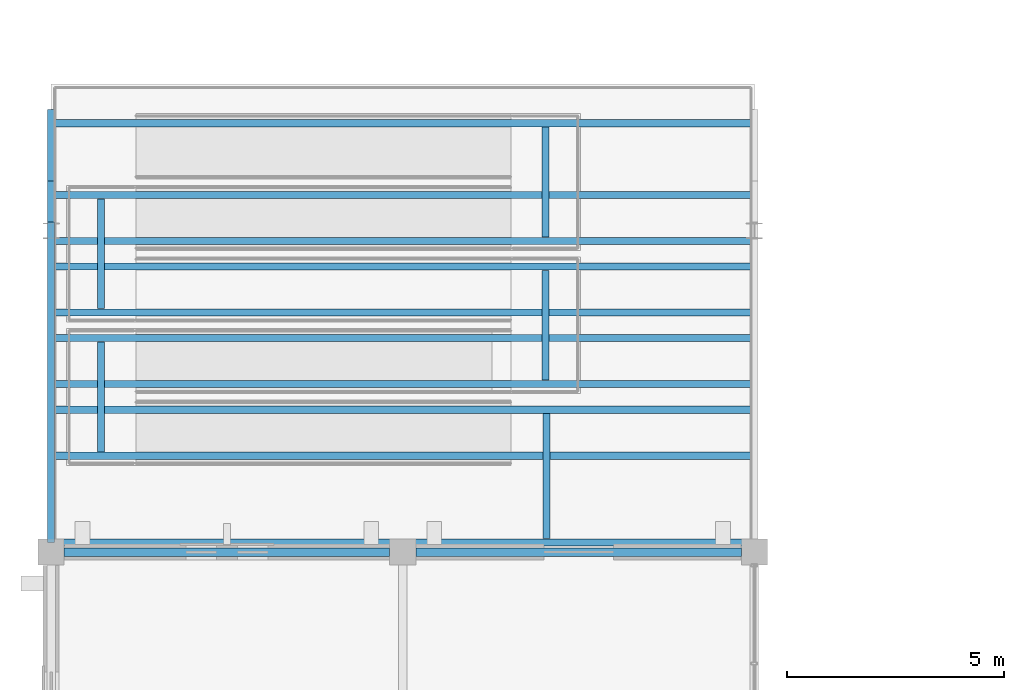
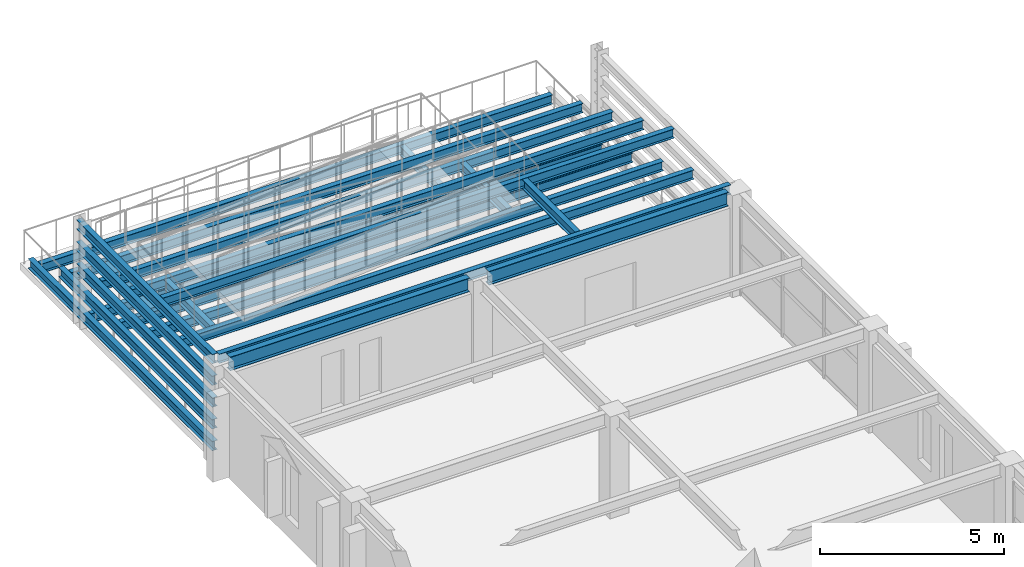
# One storey, part 44 of 121: 22 beams.
"""IFC4 building model written with IfcOpenShell, lengths in metres."""

from ifc_helpers import new_model, si_unit, direction, frame, origin, origin_2d, place, context, subcontext, project, spatial, i_section, extrude, material, material_profile, profile_set, type_object, element, save


model = new_model("IFC4")

# Units and contexts
model_context = context("Model", 3, precision=1e-05, world=origin(), true_north=direction((0.0, 1.0)))
body_context = subcontext(model_context, "Body", "Model", "MODEL_VIEW")
ifc_project = project(units=[si_unit("LENGTHUNIT", "METRE"), si_unit("AREAUNIT", "SQUARE_METRE"), si_unit("VOLUMEUNIT", "CUBIC_METRE"), si_unit("PLANEANGLEUNIT", "RADIAN"), si_unit("MASSUNIT", "GRAM", prefix="KILO")], contexts=[model_context])

# Site, building, storey
site_placement = place(None, origin())
site = spatial("IfcSite", under=ifc_project, at=site_placement, CompositionType="ELEMENT")
building_placement = place(site_placement, origin())
building = spatial("IfcBuilding", under=site, at=building_placement, Name="Cimatlan Art Gallery", CompositionType="ELEMENT")
storey_placement = place(building_placement, frame((0.0, 0.0, 10.199951171875)))
storey = spatial("IfcBuildingStorey", under=building, at=storey_placement, Name="L02", CompositionType="ELEMENT", Elevation=10.199951171875)

# Beams
ifc_material = material(Name="Steel ASTM A992 Grade 50", Category="steel")
ifc_material_profile_1 = material_profile(ifc_material, i_section(OverallWidth=0.1650390625, OverallDepth=0.31005859375, WebThickness=0.005859375, FlangeThickness=0.009765625, at=origin_2d()), Name="W12X26")
ifc_profile_set_1 = profile_set([ifc_material_profile_1], Name="Steel ASTM A992 Grade 50")
beam_type_1 = type_object("IfcBeamType", Name="BM-STL-W12X26", PredefinedType="JOIST", material=ifc_profile_set_1)
beam_1_placement = place(storey_placement, frame((2.0, 83.320068359375, 0.364990234375), z_axis=(0.0, 1.0, 0.0), x_axis=(-1.0, 0.0, 0.0)))
element("IfcBeam", 1, at=beam_1_placement, inside=storey, type_object=beam_type_1, Name="BM-RMP-TER-B1-L1-NSW", PredefinedType="JOIST", context=body_context, shape_type="SweptSolid", body=[
    extrude(i_section(OverallWidth=0.1650390625, OverallDepth=0.31005859375, WebThickness=0.005859375, FlangeThickness=0.009765625, at=origin_2d()), origin(), (0.0, 0.0, 1.0), 9.97998046875),
])
for number, where, z_axis, x_axis, name in (
    (2, (2.090087890625, 90.27001953125, 0.364990234375), (1.0, 0.0, 0.0), (0.0, 1.0, 0.0), "BM-RMP-TER-B1-L1-EW1"),
    (3, (2.090087890625, 92.97998046875, 0.364990234375), (1.0, 0.0, 0.0), (0.0, 1.0, 0.0), "BM-RMP-TER-B1-L1-EW2"),
):
    element("IfcBeam", number, at=place(storey_placement, frame(where, z_axis=z_axis, x_axis=x_axis)), inside=storey, type_object=beam_type_1, Name=name, PredefinedType="JOIST", context=body_context, shape_type="SweptSolid", body=[
        extrude(i_section(OverallWidth=0.1650390625, OverallDepth=0.31005859375, WebThickness=0.005859375, FlangeThickness=0.009765625, at=origin_2d()), origin(), (0.0, 0.0, 1.0), 16.02001953125),
    ])
beam_2_placement = place(storey_placement, frame((13.389892578125, 90.360107421875, 0.364990234375), z_axis=(0.0, 1.0, 0.0), x_axis=(-1.0, 0.0, 0.0)))
element("IfcBeam", 4, at=beam_2_placement, inside=storey, type_object=beam_type_1, Name="BM-RMP-TER-B1-L1-X1", PredefinedType="JOIST", context=body_context, shape_type="SweptSolid", body=[
    extrude(i_section(OverallWidth=0.1650390625, OverallDepth=0.31005859375, WebThickness=0.005859375, FlangeThickness=0.009765625, at=origin_2d()), origin(), (0.0, 0.0, 1.0), 2.52978515625),
])
beam_3_placement = place(storey_placement, frame((2.0, 83.320068359375, 1.0849609375), z_axis=(0.0, 1.0, 0.0), x_axis=(-1.0, 0.0, 0.0)))
element("IfcBeam", 5, at=beam_3_placement, inside=storey, type_object=beam_type_1, Name="BM-RMP-TER-B1-L2-NSW", PredefinedType="JOIST", context=body_context, shape_type="SweptSolid", body=[
    extrude(i_section(OverallWidth=0.1650390625, OverallDepth=0.31005859375, WebThickness=0.005859375, FlangeThickness=0.009765625, at=origin_2d()), origin(), (0.0, 0.0, 1.0), 8.329833984375),
])
for number, where, z_axis, x_axis, name in (
    (6, (2.090087890625, 88.6201171875, 1.0849609375), (1.0, 0.0, 0.0), (0.0, 1.0, 0.0), "BM-RMP-TER-B1-L2-EW1"),
    (7, (2.090087890625, 91.330078125, 1.0849609375), (1.0, 0.0, 0.0), (0.0, 1.0, 0.0), "BM-RMP-TER-B1-L2-EW2"),
):
    element("IfcBeam", number, at=place(storey_placement, frame(where, z_axis=z_axis, x_axis=x_axis)), inside=storey, type_object=beam_type_1, Name=name, PredefinedType="JOIST", context=body_context, shape_type="SweptSolid", body=[
        extrude(i_section(OverallWidth=0.1650390625, OverallDepth=0.31005859375, WebThickness=0.005859375, FlangeThickness=0.009765625, at=origin_2d()), origin(), (0.0, 0.0, 1.0), 16.02001953125),
    ])
beam_4_placement = place(storey_placement, frame((3.14990234375, 88.7099609375, 1.0849609375), z_axis=(0.0, 1.0, 0.0), x_axis=(-1.0, 0.0, 0.0)))
element("IfcBeam", 8, at=beam_4_placement, inside=storey, type_object=beam_type_1, Name="BM-RMP-TER-B1-L2-X1", PredefinedType="JOIST", context=body_context, shape_type="SweptSolid", body=[
    extrude(i_section(OverallWidth=0.1650390625, OverallDepth=0.31005859375, WebThickness=0.005859375, FlangeThickness=0.009765625, at=origin_2d()), origin(), (0.0, 0.0, 1.0), 2.530029296875),
])
beam_5_placement = place(storey_placement, frame((2.0, 83.320068359375, 1.804931640625), z_axis=(0.0, 1.0, 0.0), x_axis=(-1.0, 0.0, 0.0)))
element("IfcBeam", 9, at=beam_5_placement, inside=storey, type_object=beam_type_1, Name="BM-RMP-TER-B1-L3-NSW", PredefinedType="JOIST", context=body_context, shape_type="SweptSolid", body=[
    extrude(i_section(OverallWidth=0.1650390625, OverallDepth=0.31005859375, WebThickness=0.005859375, FlangeThickness=0.009765625, at=origin_2d()), origin(), (0.0, 0.0, 1.0), 7.3798828125),
])
for number, where, z_axis, x_axis, name in (
    (10, (2.090087890625, 86.969970703125, 1.804931640625), (1.0, 0.0, 0.0), (0.0, 1.0, 0.0), "BM-RMP-TER-B1-L3-EW1"),
    (11, (2.090087890625, 89.679931640625, 1.804931640625), (1.0, 0.0, 0.0), (0.0, 1.0, 0.0), "BM-RMP-TER-B1-L3-EW2"),
):
    element("IfcBeam", number, at=place(storey_placement, frame(where, z_axis=z_axis, x_axis=x_axis)), inside=storey, type_object=beam_type_1, Name=name, PredefinedType="JOIST", context=body_context, shape_type="SweptSolid", body=[
        extrude(i_section(OverallWidth=0.1650390625, OverallDepth=0.31005859375, WebThickness=0.005859375, FlangeThickness=0.009765625, at=origin_2d()), origin(), (0.0, 0.0, 1.0), 16.02001953125),
    ])
beam_6_placement = place(storey_placement, frame((13.389892578125, 87.06005859375, 1.804931640625), z_axis=(0.0, 1.0, 0.0), x_axis=(-1.0, 0.0, 0.0)))
element("IfcBeam", 12, at=beam_6_placement, inside=storey, type_object=beam_type_1, Name="BM-RMP-TER-B1-L3-X1", PredefinedType="JOIST", context=body_context, shape_type="SweptSolid", body=[
    extrude(i_section(OverallWidth=0.1650390625, OverallDepth=0.31005859375, WebThickness=0.005859375, FlangeThickness=0.009765625, at=origin_2d()), origin(), (0.0, 0.0, 1.0), 2.530029296875),
])
beam_7_placement = place(storey_placement, frame((2.0, 83.320068359375, 2.525146484375), z_axis=(0.0, 1.0, 0.0), x_axis=(-1.0, 0.0, 0.0)))
element("IfcBeam", 13, at=beam_7_placement, inside=storey, type_object=beam_type_1, Name="BM-RMP-TER-B1-L4-NSW", PredefinedType="JOIST", context=body_context, shape_type="SweptSolid", body=[
    extrude(i_section(OverallWidth=0.1650390625, OverallDepth=0.31005859375, WebThickness=0.005859375, FlangeThickness=0.009765625, at=origin_2d()), origin(), (0.0, 0.0, 1.0), 7.3798828125),
])
for number, where, z_axis, x_axis, name in (
    (14, (2.090087890625, 85.320068359375, 2.525146484375), (1.0, 0.0, 0.0), (0.0, 1.0, 0.0), "BM-RMP-TER-B1-L4-EW1"),
    (15, (2.090087890625, 88.030029296875, 2.525146484375), (1.0, 0.0, 0.0), (0.0, 1.0, 0.0), "BM-RMP-TER-B1-L4-EW2"),
):
    element("IfcBeam", number, at=place(storey_placement, frame(where, z_axis=z_axis, x_axis=x_axis)), inside=storey, type_object=beam_type_1, Name=name, PredefinedType="JOIST", context=body_context, shape_type="SweptSolid", body=[
        extrude(i_section(OverallWidth=0.1650390625, OverallDepth=0.31005859375, WebThickness=0.005859375, FlangeThickness=0.009765625, at=origin_2d()), origin(), (0.0, 0.0, 1.0), 16.02001953125),
    ])
beam_8_placement = place(storey_placement, frame((3.14990234375, 85.409912109375, 2.525146484375), z_axis=(0.0, 1.0, 0.0), x_axis=(-1.0, 0.0, 0.0)))
element("IfcBeam", 16, at=beam_8_placement, inside=storey, type_object=beam_type_1, Name="BM-RMP-TER-B1-L4-X1", PredefinedType="JOIST", context=body_context, shape_type="SweptSolid", body=[
    extrude(i_section(OverallWidth=0.1650390625, OverallDepth=0.31005859375, WebThickness=0.005859375, FlangeThickness=0.009765625, at=origin_2d()), origin(), (0.0, 0.0, 1.0), 2.530029296875),
])
beam_9_placement = place(storey_placement, frame((2.0, 83.320068359375, 3.2451171875), z_axis=(0.0, 1.0, 0.0), x_axis=(-1.0, 0.0, 0.0)))
element("IfcBeam", 17, at=beam_9_placement, inside=storey, type_object=beam_type_1, Name="BM-RMP-TER-B1-L5-NSW", PredefinedType="JOIST", context=body_context, shape_type="SweptSolid", body=[
    extrude(i_section(OverallWidth=0.1650390625, OverallDepth=0.31005859375, WebThickness=0.005859375, FlangeThickness=0.009765625, at=origin_2d()), origin(), (0.0, 0.0, 1.0), 7.3798828125),
])
for number, where, z_axis, x_axis, name in (
    (18, (2.090087890625, 83.320068359375, 3.2451171875), (1.0, 0.0, 0.0), (0.0, 1.0, 0.0), "BM-RMP-TER-B1-L5-EW1"),
    (19, (2.090087890625, 86.3798828125, 3.2451171875), (1.0, 0.0, 0.0), (0.0, 1.0, 0.0), "BM-RMP-TER-B1-L5-EW2"),
):
    element("IfcBeam", number, at=place(storey_placement, frame(where, z_axis=z_axis, x_axis=x_axis)), inside=storey, type_object=beam_type_1, Name=name, PredefinedType="JOIST", context=body_context, shape_type="SweptSolid", body=[
        extrude(i_section(OverallWidth=0.1650390625, OverallDepth=0.31005859375, WebThickness=0.005859375, FlangeThickness=0.009765625, at=origin_2d()), origin(), (0.0, 0.0, 1.0), 16.02001953125),
    ])
beam_10_placement = place(storey_placement, frame((13.4150390625, 83.409912109375, 3.2451171875), z_axis=(0.0, 1.0, 0.0), x_axis=(-1.0, 0.0, 0.0)))
element("IfcBeam", 20, at=beam_10_placement, inside=storey, type_object=beam_type_1, Name="BM-RMP-TER-B1-L5-X1", PredefinedType="JOIST", context=body_context, shape_type="SweptSolid", body=[
    extrude(i_section(OverallWidth=0.1650390625, OverallDepth=0.31005859375, WebThickness=0.005859375, FlangeThickness=0.009765625, at=origin_2d()), origin(), (0.0, 0.0, 1.0), 2.880126953125),
])
ifc_material_profile_2 = material_profile(ifc_material, i_section(OverallWidth=0.19091796875, OverallDepth=0.45703125, WebThickness=0.009033203125, FlangeThickness=0.014404296875, at=origin_2d()), Name="W18X50")
ifc_profile_set_2 = profile_set([ifc_material_profile_2], Name="Steel ASTM A992 Grade 50")
beam_type_2 = type_object("IfcBeamType", Name="BM-STL-W18X50", PredefinedType="BEAM", material=ifc_profile_set_2)
for number, where, z_axis, x_axis, name in (
    (21, (2.300048828125, 83.10009765625, 3.1416015625), (1.0, 0.0, 0.0), (0.0, 1.0, 0.0), "BM-X-L02-00-11"),
    (22, (10.39990234375, 83.10009765625, 3.1416015625), (1.0, 0.0, 0.0), (0.0, 1.0, 0.0), "BM-X-L02-01-11"),
):
    element("IfcBeam", number, at=place(storey_placement, frame(where, z_axis=z_axis, x_axis=x_axis)), inside=storey, type_object=beam_type_2, Name=name, PredefinedType="BEAM", context=body_context, shape_type="SweptSolid", body=[
        extrude(i_section(OverallWidth=0.19091796875, OverallDepth=0.45703125, WebThickness=0.009033203125, FlangeThickness=0.014404296875, at=origin_2d()), origin(), (0.0, 0.0, 1.0), 7.5),
    ])

save(model, "model.ifc")
